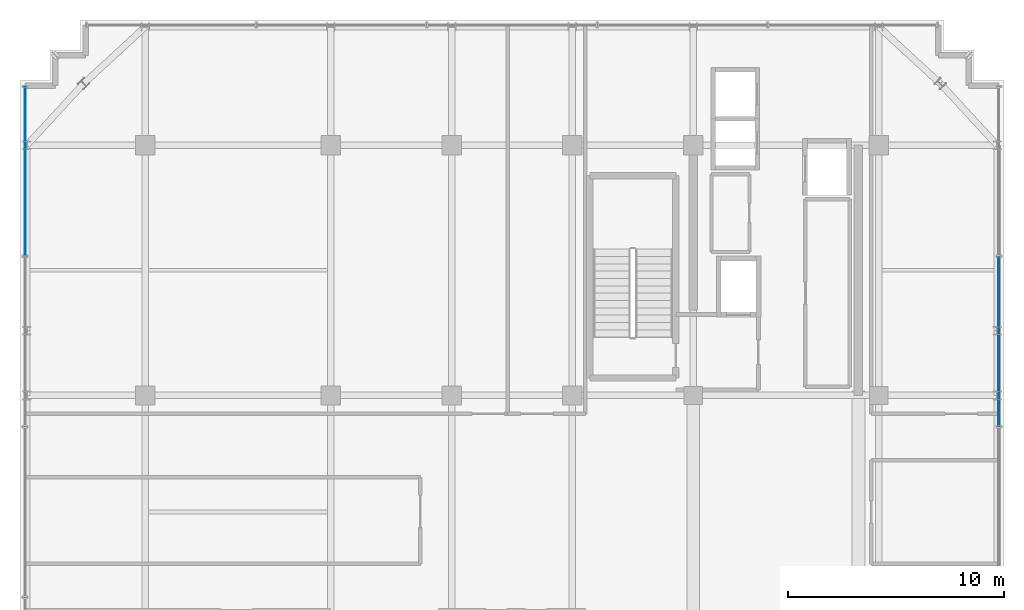
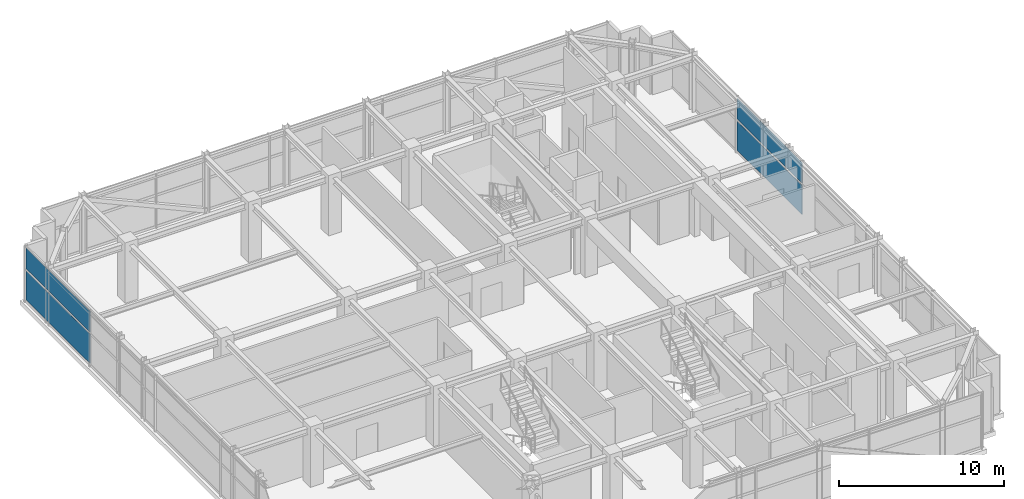
# One storey, part 19 of 26: 4 plates, 2 elements without a shape of their own.
"""IFC4 building model written with IfcOpenShell, lengths in metres."""

from ifc_helpers import new_model, si_unit, direction, frame, origin, origin_2d, place, context, subcontext, project, spatial, rectangle, extrude, source, transform, mapped, material, layer, layer_set, type_object, element, aggregate, save


model = new_model("IFC4")

# Units and contexts
model_context = context("Model", 3, precision=1e-05, world=origin(), true_north=direction((0.0, 1.0)))
body_context = subcontext(model_context, "Body", "Model", "MODEL_VIEW")
ifc_project = project(units=[si_unit("LENGTHUNIT", "METRE"), si_unit("AREAUNIT", "SQUARE_METRE"), si_unit("VOLUMEUNIT", "CUBIC_METRE"), si_unit("PLANEANGLEUNIT", "RADIAN"), si_unit("MASSUNIT", "GRAM", prefix="KILO")], contexts=[model_context])

# Site, building, storey
site_placement = place(None, origin())
site = spatial("IfcSite", under=ifc_project, at=site_placement, CompositionType="ELEMENT")
building_placement = place(site_placement, origin())
building = spatial("IfcBuilding", under=site, at=building_placement, Name="Nahalor Promenade Grand Hotel", CompositionType="ELEMENT")
storey_placement = place(building_placement, frame((0.0, 0.0, 343.050048828125)))
storey = spatial("IfcBuildingStorey", under=building, at=storey_placement, Name="L88", CompositionType="ELEMENT", Elevation=343.050048828125)

# Curtain wall, plates
ifc_material_1 = material(Name="Anodised Bronze Aluminium EN AW-6063 T6", Category="aluminium")
curtain_wall_type = type_object("IfcCurtainWallType", Name="CW5 Sky-Lobby & Observation Panoramic Curtain Wall", PredefinedType="USERDEFINED", material=ifc_material_1)
curtain_wall_1_placement = place(storey_placement, origin())
curtain_wall_1 = element("IfcCurtainWall", 1, at=curtain_wall_1_placement, inside=storey, type_object=curtain_wall_type, Name="L88 Curtain Wall CW-L88-W-1", ObjectType="UNITISED_CURTAIN_WALL", PredefinedType="USERDEFINED")
ifc_material_2 = material(Name="Low-E Laminated Solar Glass", Category="glass")
ifc_layer = layer(ifc_material_2, 0.035888671875)
ifc_layer_set = layer_set([ifc_layer], Name="Low-E Laminated Solar Glass")
plate_type = type_object("IfcPlateType", Name="CWP5 Observation Acoustic Triple IGU 36mm", PredefinedType="CURTAIN_PANEL", material=ifc_layer_set)
shared_shape_1 = source(origin(), body_context, "Body", "SweptSolid", [
    extrude(rectangle(XDim=7.776611328125, YDim=0.035888671875, at=origin_2d()), origin(), (0.0, 0.0, 1.0), 2.14501953125),
])
plate_1_placement = place(storey_placement, frame((-22.56005859375, 15.786865234375, 0.169921875), z_axis=(0.0, 0.0, 1.0), x_axis=(0.0, 1.0, 0.0)))
plate_1 = element("IfcPlate", 2, at=plate_1_placement, type_object=plate_type, Name="CW-L88-W-1 Glazing Panel 4-0", PredefinedType="CURTAIN_PANEL", context=body_context, shape_type="MappedRepresentation", body=[
    mapped(shared_shape_1, transform((0.0, 0.0, 0.0), scale=1.0)),
])
shared_shape_2 = source(origin(), body_context, "Body", "SweptSolid", [
    extrude(rectangle(XDim=7.776611328125, YDim=0.035888671875, at=origin_2d()), origin(), (0.0, 0.0, 1.0), 1.514892578125),
])
plate_2_placement = place(storey_placement, frame((-22.56005859375, 15.786865234375, 2.48486328125), z_axis=(0.0, 0.0, 1.0), x_axis=(0.0, 1.0, 0.0)))
plate_2 = element("IfcPlate", 3, at=plate_2_placement, type_object=plate_type, Name="CW-L88-W-1 Glazing Panel 4-1", PredefinedType="CURTAIN_PANEL", context=body_context, shape_type="MappedRepresentation", body=[
    mapped(shared_shape_2, transform((0.0, 0.0, 0.0), scale=1.0)),
])
aggregate(curtain_wall_1, [plate_1, plate_2])

curtain_wall_2_placement = place(storey_placement, origin())
curtain_wall_2 = element("IfcCurtainWall", 4, at=curtain_wall_2_placement, inside=storey, type_object=curtain_wall_type, Name="L88 Curtain Wall CW-L88-E-1", ObjectType="UNITISED_CURTAIN_WALL", PredefinedType="USERDEFINED")
shared_shape_3 = source(origin(), body_context, "Body", "SweptSolid", [
    extrude(rectangle(XDim=7.819091796875, YDim=0.035888671875, at=origin_2d()), origin(), (0.0, 0.0, 1.0), 2.14501953125),
])
plate_3_placement = place(storey_placement, frame((22.56005859375, 7.904052734375, 0.169921875), z_axis=(0.0, 0.0, 1.0), x_axis=(0.0, 1.0, 0.0)))
plate_3 = element("IfcPlate", 5, at=plate_3_placement, type_object=plate_type, Name="CW-L88-E-1 Glazing Panel 3-0", PredefinedType="CURTAIN_PANEL", context=body_context, shape_type="MappedRepresentation", body=[
    mapped(shared_shape_3, transform((0.0, 0.0, 0.0), scale=1.0)),
])
shared_shape_4 = source(origin(), body_context, "Body", "SweptSolid", [
    extrude(rectangle(XDim=7.819091796875, YDim=0.035888671875, at=origin_2d()), origin(), (0.0, 0.0, 1.0), 1.514892578125),
])
plate_4_placement = place(storey_placement, frame((22.56005859375, 7.904052734375, 2.48486328125), z_axis=(0.0, 0.0, 1.0), x_axis=(0.0, 1.0, 0.0)))
plate_4 = element("IfcPlate", 6, at=plate_4_placement, type_object=plate_type, Name="CW-L88-E-1 Glazing Panel 3-1", PredefinedType="CURTAIN_PANEL", context=body_context, shape_type="MappedRepresentation", body=[
    mapped(shared_shape_4, transform((0.0, 0.0, 0.0), scale=1.0)),
])
aggregate(curtain_wall_2, [plate_3, plate_4])

save(model, "model.ifc")
